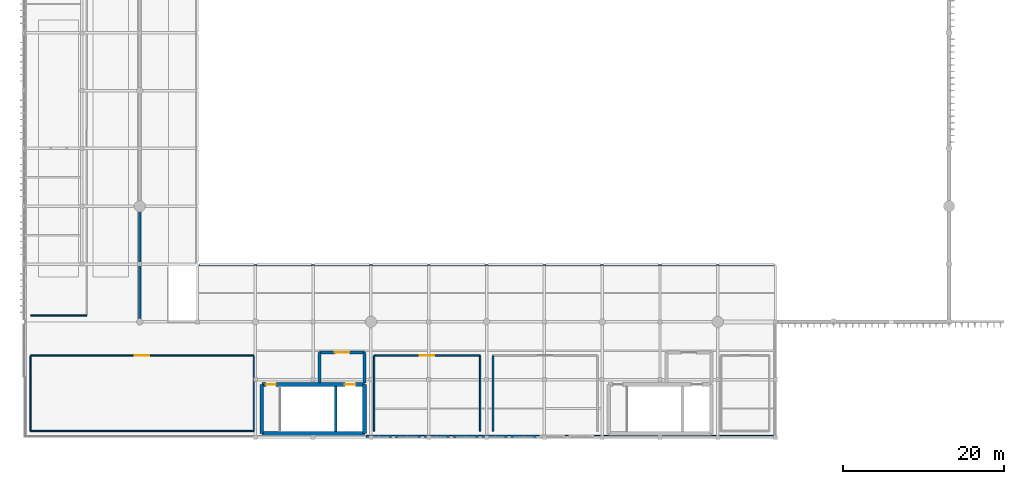
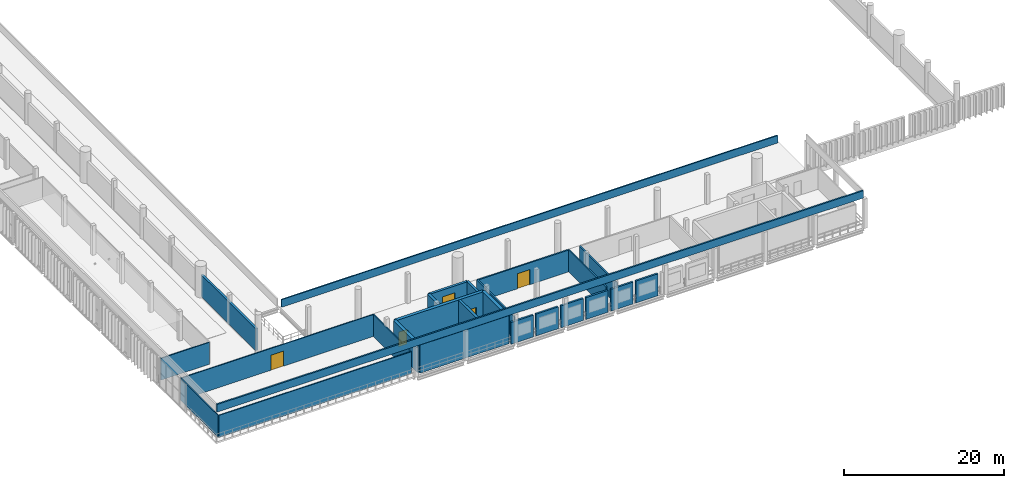
# One storey, part 43 of 64: 26 walls, 5 doors, 5 openings.
"""IFC4 building model written with IfcOpenShell, lengths in metres."""

from ifc_helpers import new_model, si_unit, direction, frame, frame_2d, origin, place, context, subcontext, project, spatial, rectangle, extrude, material, layer, layer_set, type_object, element, fill, save


model = new_model("IFC4")

# Units and contexts
model_context = context("Model", 3, precision=1e-05, world=origin(), true_north=direction((0.0, 1.0)))
body_context = subcontext(model_context, "Body", "Model", "MODEL_VIEW")
ifc_project = project(units=[si_unit("LENGTHUNIT", "METRE"), si_unit("AREAUNIT", "SQUARE_METRE"), si_unit("VOLUMEUNIT", "CUBIC_METRE"), si_unit("PLANEANGLEUNIT", "RADIAN"), si_unit("MASSUNIT", "GRAM", prefix="KILO")], contexts=[model_context])

# Site, building, storey
site_placement = place(None, origin())
site = spatial("IfcSite", under=ifc_project, at=site_placement, CompositionType="ELEMENT")
building_placement = place(site_placement, origin())
building = spatial("IfcBuilding", under=site, at=building_placement, Name="Qandorah Velis Arena", CompositionType="ELEMENT")
storey_placement = place(building_placement, frame((0.0, 0.0, 23.0)))
storey = spatial("IfcBuildingStorey", under=building, at=storey_placement, Name="L05", CompositionType="ELEMENT", Elevation=23.0)

# Walls
ifc_material_1 = material(Name="Precast concrete C40/50", Category="concrete")
ifc_layer_1 = layer(ifc_material_1, 0.320068359375)
ifc_layer_set_1 = layer_set([ifc_layer_1], Name="Precast concrete C40/50")
wall_type_1 = type_object("IfcWallType", Name="ARC-WAL-BOWL320", PredefinedType="SOLIDWALL", material=ifc_layer_set_1)
wall_1_placement = place(storey_placement, frame((14.39990234375, 14.75, 0.0), z_axis=(0.0, 0.0, 1.0), x_axis=(0.0, 1.0, 0.0)))
element("IfcWall", 1, at=wall_1_placement, inside=storey, type_object=wall_type_1, Name="Arena bowl acoustic drum wall 1.1 (L05)", PredefinedType="SOLIDWALL", context=body_context, shape_type="SweptSolid", body=[
    extrude(rectangle(XDim=13.699951171875, YDim=0.320068359375, at=frame_2d((6.85009765625, 0.0))), origin(), (0.0, 0.0, 1.0), 3.340087890625),
])
ifc_layer_2 = layer(ifc_material_1, 0.260009765625)
ifc_layer_set_2 = layer_set([ifc_layer_2], Name="Precast concrete C40/50")
wall_type_2 = type_object("IfcWallType", Name="ARC-WAL-EXT260", PredefinedType="SOLIDWALL", material=ifc_layer_set_2)
for number, where, z_axis, x_axis, name in (
    (2, (42.60009765625, 0.14990234375, 0.0), (0.0, 0.0, 1.0), (1.0, 0.0, 0.0), "Smoke-extract plant room facade wall 1"),
    (3, (46.199951171875, 0.14990234375, 0.0), (0.0, 0.0, 1.0), (1.0, 0.0, 0.0), "Smoke-extract plant room facade wall 2"),
    (4, (49.800048828125, 0.14990234375, 0.0), (0.0, 0.0, 1.0), (1.0, 0.0, 0.0), "Smoke-extract plant room facade wall 3"),
):
    element("IfcWall", number, at=place(storey_placement, frame(where, z_axis=z_axis, x_axis=x_axis)), inside=storey, type_object=wall_type_2, Name=name, PredefinedType="SOLIDWALL", context=body_context, shape_type="SweptSolid", body=[
        extrude(rectangle(XDim=3.199951171875, YDim=0.260009765625, at=frame_2d((1.60009765625, 0.0))), origin(), (0.0, 0.0, 1.0), 3.340087890625),
    ])
wall_2_placement = place(storey_placement, frame((53.39990234375, 0.14990234375, 0.0), z_axis=(0.0, 0.0, 1.0), x_axis=(1.0, 0.0, 0.0)))
element("IfcWall", 5, at=wall_2_placement, inside=storey, type_object=wall_type_2, Name="Smoke-extract plant room facade wall 4", PredefinedType="SOLIDWALL", context=body_context, shape_type="SweptSolid", body=[
    extrude(rectangle(XDim=3.2001953125, YDim=0.260009765625, at=frame_2d((1.60009765625, 0.0))), origin(), (0.0, 0.0, 1.0), 3.340087890625),
])
for number, where, z_axis, x_axis, name in (
    (6, (57.0, 0.14990234375, 0.0), (0.0, 0.0, 1.0), (1.0, 0.0, 0.0), "Smoke-extract plant room facade wall 5"),
    (7, (60.60009765625, 0.14990234375, 0.0), (0.0, 0.0, 1.0), (1.0, 0.0, 0.0), "Smoke-extract plant room facade wall 6"),
):
    element("IfcWall", number, at=place(storey_placement, frame(where, z_axis=z_axis, x_axis=x_axis)), inside=storey, type_object=wall_type_2, Name=name, PredefinedType="SOLIDWALL", context=body_context, shape_type="SweptSolid", body=[
        extrude(rectangle(XDim=3.199951171875, YDim=0.260009765625, at=frame_2d((1.60009765625, 0.0))), origin(), (0.0, 0.0, 1.0), 3.340087890625),
    ])
ifc_material_2 = material(Name="Concrete C35/45", Category="concrete")
ifc_layer_3 = layer(ifc_material_2, 0.199951171875)
ifc_layer_set_3 = layer_set([ifc_layer_3], Name="Concrete C35/45")
wall_type_3 = type_object("IfcWallType", Name="ARC-WAL-FD60-200", PredefinedType="PARTITIONING", material=ifc_layer_set_3)
wall_3_placement = place(storey_placement, frame((56.800048828125, 0.800048828125, 0.0), z_axis=(0.0, 0.0, 1.0), x_axis=(0.0, 1.0, 0.0)))
element("IfcWall", 8, at=wall_3_placement, inside=storey, type_object=wall_type_3, Name="Interior partition L05-SMK-S (E)", PredefinedType="PARTITIONING", context=body_context, shape_type="SweptSolid", body=[
    extrude(rectangle(XDim=9.39990234375, YDim=0.199951171875, at=frame_2d((4.699951171875, 0.0))), origin(), (0.0, 0.0, 1.0), 3.340087890625),
])

# Wall, opening, door
wall_4_placement = place(storey_placement, frame((56.800048828125, 10.199951171875, 0.0), z_axis=(0.0, 0.0, 1.0), x_axis=(-1.0, 0.0, 0.0)))
wall_4 = element("IfcWall", 9, at=wall_4_placement, inside=storey, type_object=wall_type_3, Name="Interior partition L05-SMK-S (N)", PredefinedType="PARTITIONING", context=body_context, shape_type="SweptSolid", body=[
    extrude(rectangle(XDim=13.199951171875, YDim=0.199951171875, at=frame_2d((6.60009765625, 0.0))), origin(), (0.0, 0.0, 1.0), 3.340087890625),
])
opening_1_placement = place(wall_4_placement, frame((5.699951171875, 0.0, 0.0)))
opening_1 = element("IfcOpeningElement", 10, at=opening_1_placement, cuts=wall_4, Name="Opening FD1", PredefinedType="OPENING", context=body_context, shape_type="SweptSolid", body=[
    extrude(rectangle(XDim=1.800048828125, YDim=2.300048828125, at=frame_2d((0.89990234375, 1.14990234375))), frame((0.0, 0.10986328125, 0.0), z_axis=(0.0, -1.0, 0.0), x_axis=(1.0, 0.0, 0.0)), (0.0, 0.0, 1.0), 0.219970703125),
])
ifc_material_3 = material(Name="Insulated fire-rated double steel door", Category="steel")
door_type_1 = type_object("IfcDoorType", Name="ARC-DR-FD1800", OperationType="NOTDEFINED", PredefinedType="DOOR", material=ifc_material_3)
door_1_placement = place(opening_1_placement, origin())
door_1 = element("IfcDoor", 11, at=door_1_placement, inside=storey, type_object=door_type_1, Name="Door L05-SMK-S", OperationType="DOUBLE_DOOR_SINGLE_SWING", OverallHeight=2.300048828125, OverallWidth=1.800048828125, PredefinedType="DOOR", context=body_context, shape_type="SweptSolid", body=[
    extrude(rectangle(XDim=1.800048828125, YDim=2.300048828125, at=frame_2d((0.89990234375, 1.14990234375))), frame((0.0, 0.02490234375, 0.0), z_axis=(0.0, -1.0, 0.0), x_axis=(1.0, 0.0, 0.0)), (0.0, 0.0, 1.0), 0.050048828125),
])
fill(opening_1, door_1)

# Walls
for number, where, z_axis, x_axis, name in (
    (12, (43.60009765625, 10.199951171875, 0.0), (0.0, 0.0, 1.0), (0.0, -1.0, 0.0), "Interior partition L05-SMK-S (W)"),
    (13, (58.39990234375, 10.199951171875, 0.0), (0.0, 0.0, 1.0), (0.0, -1.0, 0.0), "Interior partition L05-AHU-S (W)"),
):
    element("IfcWall", number, at=place(storey_placement, frame(where, z_axis=z_axis, x_axis=x_axis)), inside=storey, type_object=wall_type_3, Name=name, PredefinedType="PARTITIONING", context=body_context, shape_type="SweptSolid", body=[
        extrude(rectangle(XDim=9.39990234375, YDim=0.199951171875, at=frame_2d((4.699951171875, 0.0))), origin(), (0.0, 0.0, 1.0), 3.340087890625),
    ])
ifc_layer_4 = layer(ifc_material_1, 0.179931640625)
ifc_layer_set_4 = layer_set([ifc_layer_4], Name="Precast concrete C40/50")
wall_type_4 = type_object("IfcWallType", Name="ARC-WAL-PAR180", PredefinedType="PARAPET", material=ifc_layer_set_4)
wall_5_placement = place(storey_placement, frame((21.800048828125, 21.449951171875, 0.0), z_axis=(0.0, 0.0, 1.0), x_axis=(1.0, 0.0, 0.0)))
element("IfcWall", 14, at=wall_5_placement, inside=storey, type_object=wall_type_4, Name="Roof perimeter parapet wall PW-07", PredefinedType="PARAPET", context=body_context, shape_type="SweptSolid", body=[
    extrude(rectangle(XDim=71.599853515625, YDim=0.179931640625, at=frame_2d((35.7998046875, 0.0))), origin(), (0.0, 0.0, 1.0), 1.14990234375),
])
ifc_layer_5 = layer(ifc_material_1, 0.219970703125)
ifc_layer_set_5 = layer_set([ifc_layer_5], Name="Precast concrete C40/50")
wall_type_5 = type_object("IfcWallType", Name="ARC-WAL-PAR220", PredefinedType="PARAPET", material=ifc_layer_set_5)
wall_6_placement = place(storey_placement, frame((0.14990234375, 0.14990234375, 4.5), z_axis=(0.0, 0.0, 1.0), x_axis=(1.0, 0.0, 0.0)))
element("IfcWall", 15, at=wall_6_placement, inside=storey, type_object=wall_type_5, Name="Roof perimeter parapet wall PW-03", PredefinedType="PARAPET", context=body_context, shape_type="SweptSolid", body=[
    extrude(rectangle(XDim=93.300048828125, YDim=0.219970703125, at=frame_2d((46.64990234375, 0.0))), origin(), (0.0, 0.0, 1.0), 1.14990234375),
])
ifc_layer_6 = layer(ifc_material_2, 0.14990234375)
ifc_layer_set_6 = layer_set([ifc_layer_6], Name="Concrete C35/45")
wall_type_6 = type_object("IfcWallType", Name="ARC-WAL-PART150", PredefinedType="PARTITIONING", material=ifc_layer_set_6)
wall_7_placement = place(storey_placement, frame((0.800048828125, 15.199951171875, 0.0), z_axis=(0.0, 0.0, 1.0), x_axis=(1.0, 0.0, 0.0)))
element("IfcWall", 16, at=wall_7_placement, inside=storey, type_object=wall_type_6, Name="Interior partition L05-SKY-LNG (S)", PredefinedType="PARTITIONING", context=body_context, shape_type="SweptSolid", body=[
    extrude(rectangle(XDim=7.0, YDim=0.14990234375, at=frame_2d((3.5, 0.0))), origin(), (0.0, 0.0, 1.0), 3.340087890625),
])
wall_8_placement = place(storey_placement, frame((0.800048828125, 0.800048828125, 0.0), z_axis=(0.0, 0.0, 1.0), x_axis=(1.0, 0.0, 0.0)))
element("IfcWall", 17, at=wall_8_placement, inside=storey, type_object=wall_type_6, Name="Interior partition L05-SKY-VIP (S)", PredefinedType="PARTITIONING", context=body_context, shape_type="SweptSolid", body=[
    extrude(rectangle(XDim=27.800048828125, YDim=0.14990234375, at=frame_2d((13.89990234375, 0.0))), origin(), (0.0, 0.0, 1.0), 3.340087890625),
])
wall_9_placement = place(storey_placement, frame((28.60009765625, 0.800048828125, 0.0), z_axis=(0.0, 0.0, 1.0), x_axis=(0.0, 1.0, 0.0)))
element("IfcWall", 18, at=wall_9_placement, inside=storey, type_object=wall_type_6, Name="Interior partition L05-SKY-VIP (E)", PredefinedType="PARTITIONING", context=body_context, shape_type="SweptSolid", body=[
    extrude(rectangle(XDim=9.39990234375, YDim=0.14990234375, at=frame_2d((4.699951171875, 0.0))), origin(), (0.0, 0.0, 1.0), 3.340087890625),
])

# Wall, opening, door
wall_10_placement = place(storey_placement, frame((28.60009765625, 10.199951171875, 0.0), z_axis=(0.0, 0.0, 1.0), x_axis=(-1.0, 0.0, 0.0)))
wall_10 = element("IfcWall", 19, at=wall_10_placement, inside=storey, type_object=wall_type_6, Name="Interior partition L05-SKY-VIP (N)", PredefinedType="PARTITIONING", context=body_context, shape_type="SweptSolid", body=[
    extrude(rectangle(XDim=27.800048828125, YDim=0.14990234375, at=frame_2d((13.89990234375, 0.0))), origin(), (0.0, 0.0, 1.0), 3.340087890625),
])
opening_2_placement = place(wall_10_placement, frame((13.0, 0.0, 0.0)))
opening_2 = element("IfcOpeningElement", 20, at=opening_2_placement, cuts=wall_10, Name="Opening D3", PredefinedType="OPENING", context=body_context, shape_type="SweptSolid", body=[
    extrude(rectangle(XDim=1.800048828125, YDim=2.300048828125, at=frame_2d((0.89990234375, 1.14990234375))), frame((0.0, 0.0849609375, 0.0), z_axis=(0.0, -1.0, 0.0), x_axis=(1.0, 0.0, 0.0)), (0.0, 0.0, 1.0), 0.169921875),
])
ifc_material_4 = material(Name="Double-leaf acoustic timber door", Category="wood")
door_type_2 = type_object("IfcDoorType", Name="ARC-DR-DBL1800", OperationType="NOTDEFINED", PredefinedType="DOOR", material=ifc_material_4)
door_2_placement = place(opening_2_placement, origin())
door_2 = element("IfcDoor", 21, at=door_2_placement, inside=storey, type_object=door_type_2, Name="Door L05-SKY-VIP", OperationType="DOUBLE_DOOR_SINGLE_SWING", OverallHeight=2.300048828125, OverallWidth=1.800048828125, PredefinedType="DOOR", context=body_context, shape_type="SweptSolid", body=[
    extrude(rectangle(XDim=1.800048828125, YDim=2.300048828125, at=frame_2d((0.89990234375, 1.14990234375))), frame((0.0, 0.02490234375, 0.0), z_axis=(0.0, -1.0, 0.0), x_axis=(1.0, 0.0, 0.0)), (0.0, 0.0, 1.0), 0.050048828125),
])
fill(opening_2, door_2)

# Walls
wall_11_placement = place(storey_placement, frame((0.800048828125, 10.199951171875, 0.0), z_axis=(0.0, 0.0, 1.0), x_axis=(0.0, -1.0, 0.0)))
element("IfcWall", 22, at=wall_11_placement, inside=storey, type_object=wall_type_6, Name="Interior partition L05-SKY-VIP (W)", PredefinedType="PARTITIONING", context=body_context, shape_type="SweptSolid", body=[
    extrude(rectangle(XDim=9.39990234375, YDim=0.14990234375, at=frame_2d((4.699951171875, 0.0))), origin(), (0.0, 0.0, 1.0), 3.340087890625),
])
ifc_material_5 = material(Name="Concrete C40/50", Category="concrete")
ifc_layer_7 = layer(ifc_material_5, 0.449951171875)
ifc_layer_set_7 = layer_set([ifc_layer_7], Name="Concrete C40/50")
wall_type_7 = type_object("IfcWallType", Name="STR-WAL-CORE450", PredefinedType="SHEAR", material=ifc_layer_set_7)
wall_12_placement = place(storey_placement, frame((29.60009765625, 0.5, 0.0), z_axis=(0.0, 0.0, 1.0), x_axis=(1.0, 0.0, 0.0)))
element("IfcWall", 23, at=wall_12_placement, inside=storey, type_object=wall_type_7, Name="Core CORE-01 shear wall S (L05)", PredefinedType="SHEAR", context=body_context, shape_type="SweptSolid", body=[
    extrude(rectangle(XDim=12.7998046875, YDim=0.449951171875, at=frame_2d((6.39990234375, 0.0))), origin(), (0.0, 0.0, 1.0), 4.280029296875),
])

# Wall, openings, doors
wall_13_placement = place(storey_placement, frame((29.60009765625, 6.60009765625, 0.0), z_axis=(0.0, 0.0, 1.0), x_axis=(1.0, 0.0, 0.0)))
wall_13 = element("IfcWall", 24, at=wall_13_placement, inside=storey, type_object=wall_type_7, Name="Core CORE-01 shear wall N (L05)", PredefinedType="SHEAR", context=body_context, shape_type="SweptSolid", body=[
    extrude(rectangle(XDim=12.7998046875, YDim=0.449951171875, at=frame_2d((6.39990234375, 0.0))), origin(), (0.0, 0.0, 1.0), 4.280029296875),
])
opening_3_placement = place(wall_13_placement, frame((0.550048828125, 0.0, 0.0)))
opening_3 = element("IfcOpeningElement", 25, at=opening_3_placement, cuts=wall_13, Name="Opening SD1", PredefinedType="OPENING", context=body_context, shape_type="SweptSolid", body=[
    extrude(rectangle(XDim=1.199951171875, YDim=2.25, at=frame_2d((0.60009765625, 1.125))), frame((0.0, 0.23486328125, 0.0), z_axis=(0.0, -1.0, 0.0), x_axis=(1.0, 0.0, 0.0)), (0.0, 0.0, 1.0), 0.469970703125),
])
opening_4_placement = place(wall_13_placement, frame((10.35791015625, 0.0, 0.0)))
opening_4 = element("IfcOpeningElement", 26, at=opening_4_placement, cuts=wall_13, Name="Opening LD2", PredefinedType="OPENING", context=body_context, shape_type="SweptSolid", body=[
    extrude(rectangle(XDim=1.300048828125, YDim=2.25, at=frame_2d((0.64990234375, 1.125))), frame((0.0, 0.23486328125, 0.0), z_axis=(0.0, -1.0, 0.0), x_axis=(1.0, 0.0, 0.0)), (0.0, 0.0, 1.0), 0.469970703125),
])
ifc_material_6 = material(Name="Firefighting stainless sliding lift landing door", Category="steel")
door_type_3 = type_object("IfcDoorType", Name="ARC-DR-LD1300", OperationType="NOTDEFINED", PredefinedType="DOOR", material=ifc_material_6)
door_3_placement = place(opening_4_placement, origin())
door_3 = element("IfcDoor", 27, at=door_3_placement, inside=storey, type_object=door_type_3, Name="Lift FL1 sliding landing door (L05)", OperationType="SLIDING_TO_LEFT", OverallHeight=2.25, OverallWidth=1.300048828125, PredefinedType="DOOR", context=body_context, shape_type="SweptSolid", body=[
    extrude(rectangle(XDim=1.300048828125, YDim=2.25, at=frame_2d((0.64990234375, 1.125))), frame((0.0, 0.02490234375, 0.0), z_axis=(0.0, -1.0, 0.0), x_axis=(1.0, 0.0, 0.0)), (0.0, 0.0, 1.0), 0.050048828125),
])
fill(opening_4, door_3)
ifc_material_7 = material(Name="Self-closing fire-rated stair steel door", Category="steel")
door_type_4 = type_object("IfcDoorType", Name="ARC-DR-ST1200", OperationType="NOTDEFINED", PredefinedType="DOOR", material=ifc_material_7)
door_4_placement = place(opening_3_placement, frame((1.199951171875, 0.0, 0.0), z_axis=(0.0, 0.0, 1.0), x_axis=(-1.0, 0.0, 0.0)))
door_4 = element("IfcDoor", 28, at=door_4_placement, inside=storey, type_object=door_type_4, Name="Stair ST1 fire door (L05)", OperationType="SINGLE_SWING_RIGHT", OverallHeight=2.25, OverallWidth=1.199951171875, PredefinedType="DOOR", context=body_context, shape_type="SweptSolid", body=[
    extrude(rectangle(XDim=1.199951171875, YDim=2.25, at=frame_2d((0.60009765625, 1.125))), frame((0.0, 0.02490234375, 0.0), z_axis=(0.0, -1.0, 0.0), x_axis=(1.0, 0.0, 0.0)), (0.0, 0.0, 1.0), 0.050048828125),
])
fill(opening_3, door_4)

# Walls
for number, where, z_axis, x_axis, name in (
    (29, (29.60009765625, 0.5, 0.0), (0.0, 0.0, 1.0), (0.0, 1.0, 0.0), "Core CORE-01 shear wall W (L05)"),
    (30, (42.39990234375, 0.5, 0.0), (0.0, 0.0, 1.0), (0.0, 1.0, 0.0), "Core CORE-01 shear wall E (L05)"),
):
    element("IfcWall", number, at=place(storey_placement, frame(where, z_axis=z_axis, x_axis=x_axis)), inside=storey, type_object=wall_type_7, Name=name, PredefinedType="SHEAR", context=body_context, shape_type="SweptSolid", body=[
        extrude(rectangle(XDim=6.10009765625, YDim=0.449951171875, at=frame_2d((3.050048828125, 0.0))), origin(), (0.0, 0.0, 1.0), 4.280029296875),
    ])
ifc_layer_8 = layer(ifc_material_5, 0.35009765625)
ifc_layer_set_8 = layer_set([ifc_layer_8], Name="Concrete C40/50")
wall_type_8 = type_object("IfcWallType", Name="STR-WAL-SH350", PredefinedType="SHEAR", material=ifc_layer_set_8)
wall_14_placement = place(storey_placement, frame((38.81591796875, 0.72509765625, 0.0), z_axis=(0.0, 0.0, 1.0), x_axis=(0.0, 1.0, 0.0)))
element("IfcWall", 31, at=wall_14_placement, inside=storey, type_object=wall_type_8, Name="Core CORE-01 shaft divider shear wall (L05)", PredefinedType="SHEAR", context=body_context, shape_type="SweptSolid", body=[
    extrude(rectangle(XDim=5.64990234375, YDim=0.35009765625, at=frame_2d((2.824951171875, 0.0))), origin(), (0.0, 0.0, 1.0), 4.280029296875),
])
wall_15_placement = place(storey_placement, frame((42.39990234375, 6.800048828125, 0.0), z_axis=(0.0, 0.0, 1.0), x_axis=(0.0, 1.0, 0.0)))
element("IfcWall", 32, at=wall_15_placement, inside=storey, type_object=wall_type_8, Name="Interior partition FFL-FL1-L05 (E)", PredefinedType="SHEAR", context=body_context, shape_type="SweptSolid", body=[
    extrude(rectangle(XDim=3.800048828125, YDim=0.35009765625, at=frame_2d((1.89990234375, 0.0))), origin(), (0.0, 0.0, 1.0), 3.340087890625),
])

# Wall, opening, door
wall_16_placement = place(storey_placement, frame((42.39990234375, 10.60009765625, 0.0), z_axis=(0.0, 0.0, 1.0), x_axis=(-1.0, 0.0, 0.0)))
wall_16 = element("IfcWall", 33, at=wall_16_placement, inside=storey, type_object=wall_type_8, Name="Interior partition FFL-FL1-L05 (N)", PredefinedType="SHEAR", context=body_context, shape_type="SweptSolid", body=[
    extrude(rectangle(XDim=5.599853515625, YDim=0.35009765625, at=frame_2d((2.7998046875, 0.0))), origin(), (0.0, 0.0, 1.0), 3.340087890625),
])
opening_5_placement = place(wall_16_placement, frame((1.89990234375, 0.0, 0.0)))
opening_5 = element("IfcOpeningElement", 34, at=opening_5_placement, cuts=wall_16, Name="Opening FD1", PredefinedType="OPENING", context=body_context, shape_type="SweptSolid", body=[
    extrude(rectangle(XDim=1.800048828125, YDim=2.300048828125, at=frame_2d((0.89990234375, 1.14990234375))), frame((0.0, 0.18505859375, 0.0), z_axis=(0.0, -1.0, 0.0), x_axis=(1.0, 0.0, 0.0)), (0.0, 0.0, 1.0), 0.3701171875),
])
door_5_placement = place(opening_5_placement, frame((1.800048828125, 0.0, 0.0), z_axis=(0.0, 0.0, 1.0), x_axis=(-1.0, 0.0, 0.0)))
door_5 = element("IfcDoor", 35, at=door_5_placement, inside=storey, type_object=door_type_1, Name="Door FFL-FL1-L05", OperationType="DOUBLE_DOOR_SINGLE_SWING", OverallHeight=2.300048828125, OverallWidth=1.800048828125, PredefinedType="DOOR", context=body_context, shape_type="SweptSolid", body=[
    extrude(rectangle(XDim=1.800048828125, YDim=2.300048828125, at=frame_2d((0.89990234375, 1.14990234375))), frame((0.0, 0.02490234375, 0.0), z_axis=(0.0, -1.0, 0.0), x_axis=(1.0, 0.0, 0.0)), (0.0, 0.0, 1.0), 0.050048828125),
])
fill(opening_5, door_5)

# Wall
wall_17_placement = place(storey_placement, frame((36.800048828125, 10.60009765625, 0.0), z_axis=(0.0, 0.0, 1.0), x_axis=(0.0, -1.0, 0.0)))
element("IfcWall", 36, at=wall_17_placement, inside=storey, type_object=wall_type_8, Name="Interior partition FFL-FL1-L05 (W)", PredefinedType="SHEAR", context=body_context, shape_type="SweptSolid", body=[
    extrude(rectangle(XDim=3.800048828125, YDim=0.35009765625, at=frame_2d((1.89990234375, 0.0))), origin(), (0.0, 0.0, 1.0), 3.340087890625),
])

save(model, "model.ifc")
